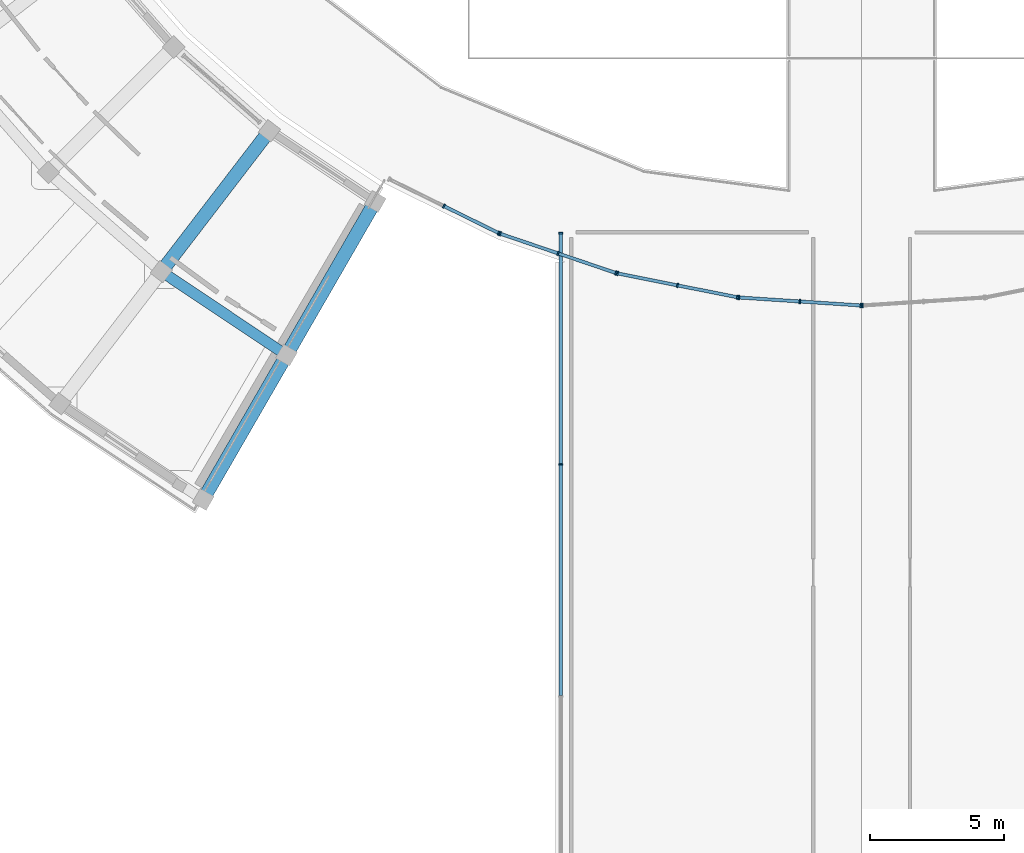
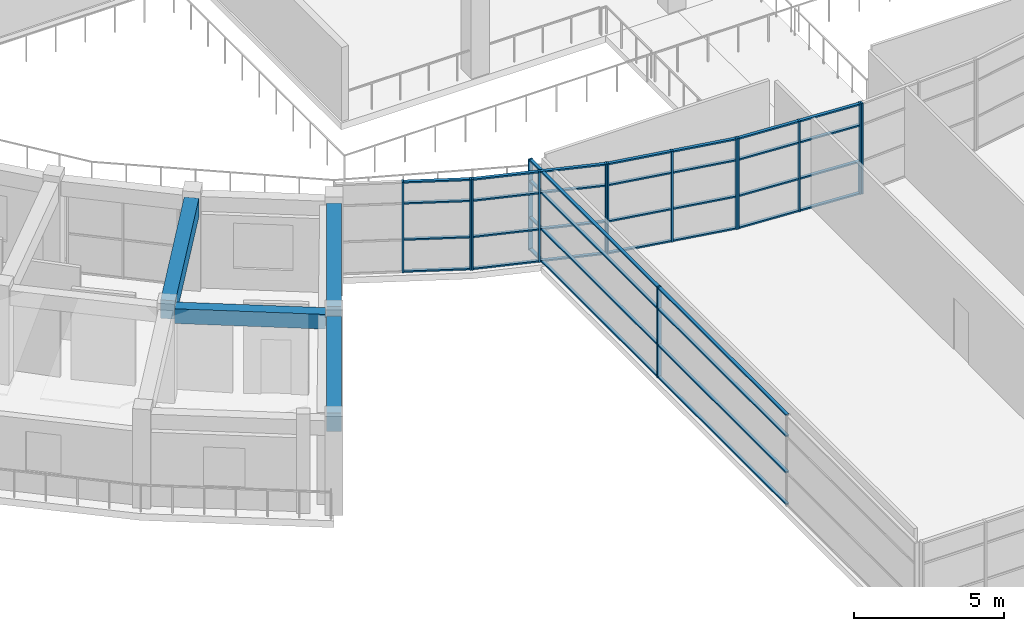
# One storey, part 14 of 83: 50 members, 4 beams, 6 elements without a shape of their own.
"""IFC4 building model written with IfcOpenShell, lengths in metres."""

from ifc_helpers import new_model, si_unit, direction, frame, origin, origin_2d, place, context, subcontext, project, spatial, rectangle, extrude, material, material_profile, profile_set, type_object, element, aggregate, save


model = new_model("IFC4")

# Units and contexts
model_context = context("Model", 3, precision=1e-05, world=origin(), true_north=direction((0.0, 1.0)))
body_context = subcontext(model_context, "Body", "Model", "MODEL_VIEW")
ifc_project = project(units=[si_unit("LENGTHUNIT", "METRE"), si_unit("AREAUNIT", "SQUARE_METRE"), si_unit("VOLUMEUNIT", "CUBIC_METRE"), si_unit("PLANEANGLEUNIT", "RADIAN"), si_unit("MASSUNIT", "GRAM", prefix="KILO")], contexts=[model_context])

# Site, building, storey
site_placement = place(None, origin())
site = spatial("IfcSite", under=ifc_project, at=site_placement, CompositionType="ELEMENT")
building_placement = place(site_placement, origin())
building = spatial("IfcBuilding", under=site, at=building_placement, Name="Saryqyr Civic Hall", CompositionType="ELEMENT")
storey_placement = place(building_placement, frame((0.0, 0.0, 9.14990234375)))
storey = spatial("IfcBuildingStorey", under=building, at=storey_placement, Name="L02", CompositionType="ELEMENT", Elevation=9.14990234375)

# Curtain wall, members
ifc_material_1 = material(Name="Anodised aluminium and triple low-E glass", Category="aluminium")
curtain_wall_type_1 = type_object("IfcCurtainWallType", Name="ENV-CW-STD-70", PredefinedType="NOTDEFINED", material=ifc_material_1)
curtain_wall_1_placement = place(storey_placement, origin())
curtain_wall_1 = element("IfcCurtainWall", 1, at=curtain_wall_1_placement, inside=storey, type_object=curtain_wall_type_1, Name="Curtain wall V2-VESTFLK-SW-L02", PredefinedType="NOTDEFINED")
ifc_material_2 = material(Name="Anodised aluminium", Category="aluminium")
ifc_material_profile_1 = material_profile(ifc_material_2, rectangle(XDim=0.06005859375, YDim=0.159912109375, at=origin_2d()), Name="ALU MULLION 60x160")
ifc_profile_set_1 = profile_set([ifc_material_profile_1], Name="Anodised aluminium")
member_type_1 = type_object("IfcMemberType", Name="ENV-CW-MUL-180", PredefinedType="MULLION", material=ifc_profile_set_1)
member_1_placement = place(storey_placement, frame((45.800048828125, 42.8701171875, 0.0), z_axis=(0.0, 0.0, 1.0), x_axis=(0.0, 1.0, 0.0)))
member_1 = element("IfcMember", 2, at=member_1_placement, type_object=member_type_1, Name="CW-70 mullion 3", PredefinedType="MULLION", context=body_context, shape_type="SweptSolid", body=[
    extrude(rectangle(XDim=0.06005859375, YDim=0.159912109375, at=origin_2d()), origin(), (0.0, 0.0, 1.0), 3.7001953125),
])
member_2_placement = place(storey_placement, frame((45.800048828125, 51.469970703125, 0.0), z_axis=(0.0, 0.0, 1.0), x_axis=(0.0, 1.0, 0.0)))
member_2 = element("IfcMember", 3, at=member_2_placement, type_object=member_type_1, Name="CW-70 mullion 4", PredefinedType="MULLION", context=body_context, shape_type="SweptSolid", body=[
    extrude(rectangle(XDim=0.06005859375, YDim=0.159912109375, at=origin_2d()), origin(), (0.0, 0.0, 1.0), 3.7001953125),
])

curtain_wall_type_2 = type_object("IfcCurtainWallType", Name="ENV-CW-STD-74", PredefinedType="NOTDEFINED", material=ifc_material_1)
curtain_wall_2_placement = place(storey_placement, origin())
curtain_wall_2 = element("IfcCurtainWall", 4, at=curtain_wall_2_placement, inside=storey, type_object=curtain_wall_type_2, Name="Curtain wall V2-PERIM-CW-L02-32", PredefinedType="NOTDEFINED")
member_3_placement = place(storey_placement, frame((43.494873046875, 51.474365234375, 0.0), z_axis=(0.0, 0.0, 1.0), x_axis=(-0.896875116746, 0.44228387373, 0.0)))
member_3 = element("IfcMember", 5, at=member_3_placement, type_object=member_type_1, Name="CW-74 mullion 1", PredefinedType="MULLION", context=body_context, shape_type="SweptSolid", body=[
    extrude(rectangle(XDim=0.06005859375, YDim=0.159912109375, at=origin_2d()), origin(), (0.0, 0.0, 1.0), 3.7001953125),
])
member_4_placement = place(storey_placement, frame((41.4560546875, 52.479736328125, 0.0), z_axis=(0.0, 0.0, 1.0), x_axis=(-0.896875116746, 0.44228387373, 0.0)))
member_4 = element("IfcMember", 6, at=member_4_placement, type_object=member_type_1, Name="CW-74 mullion 2", PredefinedType="MULLION", context=body_context, shape_type="SweptSolid", body=[
    extrude(rectangle(XDim=0.06005859375, YDim=0.159912109375, at=origin_2d()), origin(), (0.0, 0.0, 1.0), 3.7001953125),
])

curtain_wall_3_placement = place(storey_placement, origin())
curtain_wall_3 = element("IfcCurtainWall", 7, at=curtain_wall_3_placement, inside=storey, type_object=curtain_wall_type_2, Name="Curtain wall V2-PERIM-CW-L02-33", PredefinedType="NOTDEFINED")
member_5_placement = place(storey_placement, frame((47.85595703125, 49.98974609375, 0.0), z_axis=(0.0, 0.0, 1.0), x_axis=(-0.946928094828, 0.321445459178, 0.0)))
member_5 = element("IfcMember", 8, at=member_5_placement, type_object=member_type_1, Name="CW-74 mullion 1", PredefinedType="MULLION", context=body_context, shape_type="SweptSolid", body=[
    extrude(rectangle(XDim=0.06005859375, YDim=0.159912109375, at=origin_2d()), origin(), (0.0, 0.0, 1.0), 3.7001953125),
])
member_6_placement = place(storey_placement, frame((45.703125, 50.720458984375, 0.0), z_axis=(0.0, 0.0, 1.0), x_axis=(-0.946928094828, 0.321445459178, 0.0)))
member_6 = element("IfcMember", 9, at=member_6_placement, type_object=member_type_1, Name="CW-74 mullion 2", PredefinedType="MULLION", context=body_context, shape_type="SweptSolid", body=[
    extrude(rectangle(XDim=0.06005859375, YDim=0.159912109375, at=origin_2d()), origin(), (0.0, 0.0, 1.0), 3.7001953125),
])
member_7_placement = place(storey_placement, frame((43.55029296875, 51.451416015625, 0.0), z_axis=(0.0, 0.0, 1.0), x_axis=(-0.946928094828, 0.321445459178, 0.0)))
member_7 = element("IfcMember", 10, at=member_7_placement, type_object=member_type_1, Name="CW-74 mullion 3", PredefinedType="MULLION", context=body_context, shape_type="SweptSolid", body=[
    extrude(rectangle(XDim=0.06005859375, YDim=0.159912109375, at=origin_2d()), origin(), (0.0, 0.0, 1.0), 3.7001953125),
])

curtain_wall_4_placement = place(storey_placement, origin())
curtain_wall_4 = element("IfcCurtainWall", 11, at=curtain_wall_4_placement, inside=storey, type_object=curtain_wall_type_2, Name="Curtain wall V2-PERIM-CW-L02-34", PredefinedType="NOTDEFINED")
member_8_placement = place(storey_placement, frame((52.37353515625, 49.087158203125, 0.0), z_axis=(0.0, 0.0, 1.0), x_axis=(-0.980784679507, 0.195093342902, 0.0)))
member_8 = element("IfcMember", 12, at=member_8_placement, type_object=member_type_1, Name="CW-74 mullion 1", PredefinedType="MULLION", context=body_context, shape_type="SweptSolid", body=[
    extrude(rectangle(XDim=0.06005859375, YDim=0.159912109375, at=origin_2d()), origin(), (0.0, 0.0, 1.0), 3.7001953125),
])
member_9_placement = place(storey_placement, frame((50.1435546875, 49.53076171875, 0.0), z_axis=(0.0, 0.0, 1.0), x_axis=(-0.980784679507, 0.195093342902, 0.0)))
member_9 = element("IfcMember", 13, at=member_9_placement, type_object=member_type_1, Name="CW-74 mullion 2", PredefinedType="MULLION", context=body_context, shape_type="SweptSolid", body=[
    extrude(rectangle(XDim=0.06005859375, YDim=0.159912109375, at=origin_2d()), origin(), (0.0, 0.0, 1.0), 3.7001953125),
])
member_10_placement = place(storey_placement, frame((47.913818359375, 49.974365234375, 0.0), z_axis=(0.0, 0.0, 1.0), x_axis=(-0.980784679507, 0.195093342902, 0.0)))
member_10 = element("IfcMember", 14, at=member_10_placement, type_object=member_type_1, Name="CW-74 mullion 3", PredefinedType="MULLION", context=body_context, shape_type="SweptSolid", body=[
    extrude(rectangle(XDim=0.06005859375, YDim=0.159912109375, at=origin_2d()), origin(), (0.0, 0.0, 1.0), 3.7001953125),
])

curtain_wall_5_placement = place(storey_placement, origin())
curtain_wall_5 = element("IfcCurtainWall", 15, at=curtain_wall_5_placement, inside=storey, type_object=curtain_wall_type_2, Name="Curtain wall V2-PERIM-CW-L02-35", PredefinedType="NOTDEFINED")
member_11_placement = place(storey_placement, frame((56.969970703125, 48.781982421875, 0.0), z_axis=(0.0, 0.0, 1.0), x_axis=(-0.997859062814, 0.065400999681, 0.0)))
member_11 = element("IfcMember", 16, at=member_11_placement, type_object=member_type_1, Name="CW-74 mullion 1", PredefinedType="MULLION", context=body_context, shape_type="SweptSolid", body=[
    extrude(rectangle(XDim=0.06005859375, YDim=0.159912109375, at=origin_2d()), origin(), (0.0, 0.0, 1.0), 3.7001953125),
])
member_12_placement = place(storey_placement, frame((54.701416015625, 48.9306640625, 0.0), z_axis=(0.0, 0.0, 1.0), x_axis=(-0.997859062814, 0.065400999681, 0.0)))
member_12 = element("IfcMember", 17, at=member_12_placement, type_object=member_type_1, Name="CW-74 mullion 2", PredefinedType="MULLION", context=body_context, shape_type="SweptSolid", body=[
    extrude(rectangle(XDim=0.06005859375, YDim=0.159912109375, at=origin_2d()), origin(), (0.0, 0.0, 1.0), 3.7001953125),
])
member_13_placement = place(storey_placement, frame((52.432861328125, 49.079345703125, 0.0), z_axis=(0.0, 0.0, 1.0), x_axis=(-0.997859062814, 0.065400999681, 0.0)))
member_13 = element("IfcMember", 18, at=member_13_placement, type_object=member_type_1, Name="CW-74 mullion 3", PredefinedType="MULLION", context=body_context, shape_type="SweptSolid", body=[
    extrude(rectangle(XDim=0.06005859375, YDim=0.159912109375, at=origin_2d()), origin(), (0.0, 0.0, 1.0), 3.7001953125),
])

# Curtain wall, member
curtain_wall_6_placement = place(storey_placement, origin())
curtain_wall_6 = element("IfcCurtainWall", 19, at=curtain_wall_6_placement, inside=storey, type_object=curtain_wall_type_2, Name="Curtain wall V2-PERIM-CW-L02-36", PredefinedType="NOTDEFINED")
member_14_placement = place(storey_placement, frame((57.030029296875, 48.781982421875, 0.0), z_axis=(0.0, 0.0, 1.0), x_axis=(-0.997859062814, -0.065400999681, 0.0)))
member_14 = element("IfcMember", 20, at=member_14_placement, type_object=member_type_1, Name="CW-74 mullion 3", PredefinedType="MULLION", context=body_context, shape_type="SweptSolid", body=[
    extrude(rectangle(XDim=0.06005859375, YDim=0.159912109375, at=origin_2d()), origin(), (0.0, 0.0, 1.0), 3.7001953125),
])
aggregate(curtain_wall_6, [member_14])

# Member
ifc_material_profile_2 = material_profile(ifc_material_2, rectangle(XDim=0.1201171875, YDim=0.06005859375, at=origin_2d()), Name="ALU TRANSOM 120x60")
ifc_profile_set_2 = profile_set([ifc_material_profile_2], Name="Anodised aluminium")
member_type_2 = type_object("IfcMemberType", Name="ENV-CW-TRN-150", PredefinedType="USERDEFINED", material=ifc_profile_set_2)
member_15_placement = place(storey_placement, frame((45.800048828125, 34.27001953125, 0.030029296875), z_axis=(0.0, 1.0, 0.0), x_axis=(-1.0, 0.0, 0.0)))
member_15 = element("IfcMember", 21, at=member_15_placement, type_object=member_type_2, Name="CW-70 transom 2.1", ObjectType="TRANSOM", PredefinedType="USERDEFINED", context=body_context, shape_type="SweptSolid", body=[
    extrude(rectangle(XDim=0.1201171875, YDim=0.06005859375, at=origin_2d()), origin(), (0.0, 0.0, 1.0), 8.570068359375),
])

member_16_placement = place(storey_placement, frame((45.800048828125, 34.27001953125, 1.33203125), z_axis=(0.0, 1.0, 0.0), x_axis=(-1.0, 0.0, 0.0)))
member_16 = element("IfcMember", 22, at=member_16_placement, type_object=member_type_2, Name="CW-70 transom 2.2", ObjectType="TRANSOM", PredefinedType="USERDEFINED", context=body_context, shape_type="SweptSolid", body=[
    extrude(rectangle(XDim=0.1201171875, YDim=0.06005859375, at=origin_2d()), origin(), (0.0, 0.0, 1.0), 8.570068359375),
])

member_17_placement = place(storey_placement, frame((45.800048828125, 34.27001953125, 2.81201171875), z_axis=(0.0, 1.0, 0.0), x_axis=(-1.0, 0.0, 0.0)))
member_17 = element("IfcMember", 23, at=member_17_placement, type_object=member_type_2, Name="CW-70 transom 2.3", ObjectType="TRANSOM", PredefinedType="USERDEFINED", context=body_context, shape_type="SweptSolid", body=[
    extrude(rectangle(XDim=0.1201171875, YDim=0.06005859375, at=origin_2d()), origin(), (0.0, 0.0, 1.0), 8.570068359375),
])

member_18_placement = place(storey_placement, frame((45.800048828125, 34.27001953125, 3.670166015625), z_axis=(0.0, 1.0, 0.0), x_axis=(-1.0, 0.0, 0.0)))
member_18 = element("IfcMember", 24, at=member_18_placement, type_object=member_type_2, Name="CW-70 transom 2.4", ObjectType="TRANSOM", PredefinedType="USERDEFINED", context=body_context, shape_type="SweptSolid", body=[
    extrude(rectangle(XDim=0.1201171875, YDim=0.06005859375, at=origin_2d()), origin(), (0.0, 0.0, 1.0), 8.570068359375),
])

member_19_placement = place(storey_placement, frame((45.800048828125, 42.89990234375, 0.030029296875), z_axis=(0.0, 1.0, 0.0), x_axis=(-1.0, 0.0, 0.0)))
member_19 = element("IfcMember", 25, at=member_19_placement, type_object=member_type_2, Name="CW-70 transom 3.1", ObjectType="TRANSOM", PredefinedType="USERDEFINED", context=body_context, shape_type="SweptSolid", body=[
    extrude(rectangle(XDim=0.1201171875, YDim=0.06005859375, at=origin_2d()), origin(), (0.0, 0.0, 1.0), 8.5400390625),
])

member_20_placement = place(storey_placement, frame((45.800048828125, 42.89990234375, 1.33203125), z_axis=(0.0, 1.0, 0.0), x_axis=(-1.0, 0.0, 0.0)))
member_20 = element("IfcMember", 26, at=member_20_placement, type_object=member_type_2, Name="CW-70 transom 3.2", ObjectType="TRANSOM", PredefinedType="USERDEFINED", context=body_context, shape_type="SweptSolid", body=[
    extrude(rectangle(XDim=0.1201171875, YDim=0.06005859375, at=origin_2d()), origin(), (0.0, 0.0, 1.0), 8.5400390625),
])

member_21_placement = place(storey_placement, frame((45.800048828125, 42.89990234375, 2.81201171875), z_axis=(0.0, 1.0, 0.0), x_axis=(-1.0, 0.0, 0.0)))
member_21 = element("IfcMember", 27, at=member_21_placement, type_object=member_type_2, Name="CW-70 transom 3.3", ObjectType="TRANSOM", PredefinedType="USERDEFINED", context=body_context, shape_type="SweptSolid", body=[
    extrude(rectangle(XDim=0.1201171875, YDim=0.06005859375, at=origin_2d()), origin(), (0.0, 0.0, 1.0), 8.5400390625),
])

member_22_placement = place(storey_placement, frame((45.800048828125, 42.89990234375, 3.670166015625), z_axis=(0.0, 1.0, 0.0), x_axis=(-1.0, 0.0, 0.0)))
member_22 = element("IfcMember", 28, at=member_22_placement, type_object=member_type_2, Name="CW-70 transom 3.4", ObjectType="TRANSOM", PredefinedType="USERDEFINED", context=body_context, shape_type="SweptSolid", body=[
    extrude(rectangle(XDim=0.1201171875, YDim=0.06005859375, at=origin_2d()), origin(), (0.0, 0.0, 1.0), 8.5400390625),
])

aggregate(curtain_wall_1, [member_1, member_2, member_15, member_16, member_17, member_18, member_19, member_20, member_21, member_22])

member_23_placement = place(storey_placement, frame((43.468017578125, 51.487548828125, 0.030029296875), z_axis=(-0.896862479168, 0.442309499627, 0.0), x_axis=(-0.442309499627, -0.896862479168, 0.0)))
member_23 = element("IfcMember", 29, at=member_23_placement, type_object=member_type_2, Name="CW-74 transom 1.1", ObjectType="TRANSOM", PredefinedType="USERDEFINED", context=body_context, shape_type="SweptSolid", body=[
    extrude(rectangle(XDim=0.1201171875, YDim=0.06005859375, at=origin_2d()), origin(), (0.0, 0.0, 1.0), 2.21337890625),
])

member_24_placement = place(storey_placement, frame((43.468017578125, 51.487548828125, 1.33203125), z_axis=(-0.896862479168, 0.442309499627, 0.0), x_axis=(-0.442309499627, -0.896862479168, 0.0)))
member_24 = element("IfcMember", 30, at=member_24_placement, type_object=member_type_2, Name="CW-74 transom 1.2", ObjectType="TRANSOM", PredefinedType="USERDEFINED", context=body_context, shape_type="SweptSolid", body=[
    extrude(rectangle(XDim=0.1201171875, YDim=0.06005859375, at=origin_2d()), origin(), (0.0, 0.0, 1.0), 2.21337890625),
])

member_25_placement = place(storey_placement, frame((43.468017578125, 51.487548828125, 2.81201171875), z_axis=(-0.896862479168, 0.442309499627, 0.0), x_axis=(-0.442309499627, -0.896862479168, 0.0)))
member_25 = element("IfcMember", 31, at=member_25_placement, type_object=member_type_2, Name="CW-74 transom 1.3", ObjectType="TRANSOM", PredefinedType="USERDEFINED", context=body_context, shape_type="SweptSolid", body=[
    extrude(rectangle(XDim=0.1201171875, YDim=0.06005859375, at=origin_2d()), origin(), (0.0, 0.0, 1.0), 2.21337890625),
])

member_26_placement = place(storey_placement, frame((43.468017578125, 51.487548828125, 3.670166015625), z_axis=(-0.896862479168, 0.442309499627, 0.0), x_axis=(-0.442309499627, -0.896862479168, 0.0)))
member_26 = element("IfcMember", 32, at=member_26_placement, type_object=member_type_2, Name="CW-74 transom 1.4", ObjectType="TRANSOM", PredefinedType="USERDEFINED", context=body_context, shape_type="SweptSolid", body=[
    extrude(rectangle(XDim=0.1201171875, YDim=0.06005859375, at=origin_2d()), origin(), (0.0, 0.0, 1.0), 2.21337890625),
])

aggregate(curtain_wall_2, [member_3, member_4, member_23, member_24, member_25, member_26])

member_27_placement = place(storey_placement, frame((47.82763671875, 49.999267578125, 0.030029296875), z_axis=(-0.946915165682, 0.321483543904, 0.0), x_axis=(-0.321483543904, -0.946915165682, 0.0)))
member_27 = element("IfcMember", 33, at=member_27_placement, type_object=member_type_2, Name="CW-74 transom 1.1", ObjectType="TRANSOM", PredefinedType="USERDEFINED", context=body_context, shape_type="SweptSolid", body=[
    extrude(rectangle(XDim=0.1201171875, YDim=0.06005859375, at=origin_2d()), origin(), (0.0, 0.0, 1.0), 2.213623046875),
])

member_28_placement = place(storey_placement, frame((47.82763671875, 49.999267578125, 1.33203125), z_axis=(-0.946915165682, 0.321483543904, 0.0), x_axis=(-0.321483543904, -0.946915165682, 0.0)))
member_28 = element("IfcMember", 34, at=member_28_placement, type_object=member_type_2, Name="CW-74 transom 1.2", ObjectType="TRANSOM", PredefinedType="USERDEFINED", context=body_context, shape_type="SweptSolid", body=[
    extrude(rectangle(XDim=0.1201171875, YDim=0.06005859375, at=origin_2d()), origin(), (0.0, 0.0, 1.0), 2.213623046875),
])

member_29_placement = place(storey_placement, frame((47.82763671875, 49.999267578125, 2.81201171875), z_axis=(-0.946915165682, 0.321483543904, 0.0), x_axis=(-0.321483543904, -0.946915165682, 0.0)))
member_29 = element("IfcMember", 35, at=member_29_placement, type_object=member_type_2, Name="CW-74 transom 1.3", ObjectType="TRANSOM", PredefinedType="USERDEFINED", context=body_context, shape_type="SweptSolid", body=[
    extrude(rectangle(XDim=0.1201171875, YDim=0.06005859375, at=origin_2d()), origin(), (0.0, 0.0, 1.0), 2.213623046875),
])

member_30_placement = place(storey_placement, frame((47.82763671875, 49.999267578125, 3.670166015625), z_axis=(-0.946915165682, 0.321483543904, 0.0), x_axis=(-0.321483543904, -0.946915165682, 0.0)))
member_30 = element("IfcMember", 36, at=member_30_placement, type_object=member_type_2, Name="CW-74 transom 1.4", ObjectType="TRANSOM", PredefinedType="USERDEFINED", context=body_context, shape_type="SweptSolid", body=[
    extrude(rectangle(XDim=0.1201171875, YDim=0.06005859375, at=origin_2d()), origin(), (0.0, 0.0, 1.0), 2.213623046875),
])

member_31_placement = place(storey_placement, frame((45.6748046875, 50.730224609375, 0.030029296875), z_axis=(-0.946948734697, 0.321384650933, 0.0), x_axis=(-0.321384650933, -0.946948734697, 0.0)))
member_31 = element("IfcMember", 37, at=member_31_placement, type_object=member_type_2, Name="CW-74 transom 2.1", ObjectType="TRANSOM", PredefinedType="USERDEFINED", context=body_context, shape_type="SweptSolid", body=[
    extrude(rectangle(XDim=0.1201171875, YDim=0.06005859375, at=origin_2d()), origin(), (0.0, 0.0, 1.0), 2.213623046875),
])

member_32_placement = place(storey_placement, frame((45.6748046875, 50.730224609375, 1.33203125), z_axis=(-0.946948734697, 0.321384650933, 0.0), x_axis=(-0.321384650933, -0.946948734697, 0.0)))
member_32 = element("IfcMember", 38, at=member_32_placement, type_object=member_type_2, Name="CW-74 transom 2.2", ObjectType="TRANSOM", PredefinedType="USERDEFINED", context=body_context, shape_type="SweptSolid", body=[
    extrude(rectangle(XDim=0.1201171875, YDim=0.06005859375, at=origin_2d()), origin(), (0.0, 0.0, 1.0), 2.213623046875),
])

member_33_placement = place(storey_placement, frame((45.6748046875, 50.730224609375, 2.81201171875), z_axis=(-0.946948734697, 0.321384650933, 0.0), x_axis=(-0.321384650933, -0.946948734697, 0.0)))
member_33 = element("IfcMember", 39, at=member_33_placement, type_object=member_type_2, Name="CW-74 transom 2.3", ObjectType="TRANSOM", PredefinedType="USERDEFINED", context=body_context, shape_type="SweptSolid", body=[
    extrude(rectangle(XDim=0.1201171875, YDim=0.06005859375, at=origin_2d()), origin(), (0.0, 0.0, 1.0), 2.213623046875),
])

member_34_placement = place(storey_placement, frame((45.6748046875, 50.730224609375, 3.670166015625), z_axis=(-0.946948734697, 0.321384650933, 0.0), x_axis=(-0.321384650933, -0.946948734697, 0.0)))
member_34 = element("IfcMember", 40, at=member_34_placement, type_object=member_type_2, Name="CW-74 transom 2.4", ObjectType="TRANSOM", PredefinedType="USERDEFINED", context=body_context, shape_type="SweptSolid", body=[
    extrude(rectangle(XDim=0.1201171875, YDim=0.06005859375, at=origin_2d()), origin(), (0.0, 0.0, 1.0), 2.213623046875),
])

aggregate(curtain_wall_3, [member_5, member_6, member_7, member_27, member_28, member_29, member_30, member_31, member_32, member_33, member_34])

member_35_placement = place(storey_placement, frame((52.343994140625, 49.093017578125, 0.030029296875), z_axis=(-0.980779555737, 0.195119099651, 0.0), x_axis=(-0.195119099651, -0.980779555737, 0.0)))
member_35 = element("IfcMember", 41, at=member_35_placement, type_object=member_type_2, Name="CW-74 transom 1.1", ObjectType="TRANSOM", PredefinedType="USERDEFINED", context=body_context, shape_type="SweptSolid", body=[
    extrude(rectangle(XDim=0.1201171875, YDim=0.06005859375, at=origin_2d()), origin(), (0.0, 0.0, 1.0), 2.21337890625),
])

member_36_placement = place(storey_placement, frame((52.343994140625, 49.093017578125, 1.33203125), z_axis=(-0.980779555737, 0.195119099651, 0.0), x_axis=(-0.195119099651, -0.980779555737, 0.0)))
member_36 = element("IfcMember", 42, at=member_36_placement, type_object=member_type_2, Name="CW-74 transom 1.2", ObjectType="TRANSOM", PredefinedType="USERDEFINED", context=body_context, shape_type="SweptSolid", body=[
    extrude(rectangle(XDim=0.1201171875, YDim=0.06005859375, at=origin_2d()), origin(), (0.0, 0.0, 1.0), 2.21337890625),
])

member_37_placement = place(storey_placement, frame((52.343994140625, 49.093017578125, 2.81201171875), z_axis=(-0.980779555737, 0.195119099651, 0.0), x_axis=(-0.195119099651, -0.980779555737, 0.0)))
member_37 = element("IfcMember", 43, at=member_37_placement, type_object=member_type_2, Name="CW-74 transom 1.3", ObjectType="TRANSOM", PredefinedType="USERDEFINED", context=body_context, shape_type="SweptSolid", body=[
    extrude(rectangle(XDim=0.1201171875, YDim=0.06005859375, at=origin_2d()), origin(), (0.0, 0.0, 1.0), 2.21337890625),
])

member_38_placement = place(storey_placement, frame((52.343994140625, 49.093017578125, 3.670166015625), z_axis=(-0.980779555737, 0.195119099651, 0.0), x_axis=(-0.195119099651, -0.980779555737, 0.0)))
member_38 = element("IfcMember", 44, at=member_38_placement, type_object=member_type_2, Name="CW-74 transom 1.4", ObjectType="TRANSOM", PredefinedType="USERDEFINED", context=body_context, shape_type="SweptSolid", body=[
    extrude(rectangle(XDim=0.1201171875, YDim=0.06005859375, at=origin_2d()), origin(), (0.0, 0.0, 1.0), 2.21337890625),
])

member_39_placement = place(storey_placement, frame((50.1142578125, 49.53662109375, 0.030029296875), z_axis=(-0.980779555737, 0.195119099651, 0.0), x_axis=(-0.195119099651, -0.980779555737, 0.0)))
member_39 = element("IfcMember", 45, at=member_39_placement, type_object=member_type_2, Name="CW-74 transom 2.1", ObjectType="TRANSOM", PredefinedType="USERDEFINED", context=body_context, shape_type="SweptSolid", body=[
    extrude(rectangle(XDim=0.1201171875, YDim=0.06005859375, at=origin_2d()), origin(), (0.0, 0.0, 1.0), 2.21337890625),
])

member_40_placement = place(storey_placement, frame((50.1142578125, 49.53662109375, 1.33203125), z_axis=(-0.980779555737, 0.195119099651, 0.0), x_axis=(-0.195119099651, -0.980779555737, 0.0)))
member_40 = element("IfcMember", 46, at=member_40_placement, type_object=member_type_2, Name="CW-74 transom 2.2", ObjectType="TRANSOM", PredefinedType="USERDEFINED", context=body_context, shape_type="SweptSolid", body=[
    extrude(rectangle(XDim=0.1201171875, YDim=0.06005859375, at=origin_2d()), origin(), (0.0, 0.0, 1.0), 2.21337890625),
])

member_41_placement = place(storey_placement, frame((50.1142578125, 49.53662109375, 2.81201171875), z_axis=(-0.980779555737, 0.195119099651, 0.0), x_axis=(-0.195119099651, -0.980779555737, 0.0)))
member_41 = element("IfcMember", 47, at=member_41_placement, type_object=member_type_2, Name="CW-74 transom 2.3", ObjectType="TRANSOM", PredefinedType="USERDEFINED", context=body_context, shape_type="SweptSolid", body=[
    extrude(rectangle(XDim=0.1201171875, YDim=0.06005859375, at=origin_2d()), origin(), (0.0, 0.0, 1.0), 2.21337890625),
])

member_42_placement = place(storey_placement, frame((50.1142578125, 49.53662109375, 3.670166015625), z_axis=(-0.980779555737, 0.195119099651, 0.0), x_axis=(-0.195119099651, -0.980779555737, 0.0)))
member_42 = element("IfcMember", 48, at=member_42_placement, type_object=member_type_2, Name="CW-74 transom 2.4", ObjectType="TRANSOM", PredefinedType="USERDEFINED", context=body_context, shape_type="SweptSolid", body=[
    extrude(rectangle(XDim=0.1201171875, YDim=0.06005859375, at=origin_2d()), origin(), (0.0, 0.0, 1.0), 2.21337890625),
])

aggregate(curtain_wall_4, [member_8, member_9, member_10, member_35, member_36, member_37, member_38, member_39, member_40, member_41, member_42])

member_43_placement = place(storey_placement, frame((56.940185546875, 48.783935546875, 0.030029296875), z_axis=(-0.997858719579, 0.0654062364, 0.0), x_axis=(-0.0654062364, -0.997858719579, 0.0)))
member_43 = element("IfcMember", 49, at=member_43_placement, type_object=member_type_2, Name="CW-74 transom 1.1", ObjectType="TRANSOM", PredefinedType="USERDEFINED", context=body_context, shape_type="SweptSolid", body=[
    extrude(rectangle(XDim=0.1201171875, YDim=0.06005859375, at=origin_2d()), origin(), (0.0, 0.0, 1.0), 2.21337890625),
])

member_44_placement = place(storey_placement, frame((56.940185546875, 48.783935546875, 1.33203125), z_axis=(-0.997858719579, 0.0654062364, 0.0), x_axis=(-0.0654062364, -0.997858719579, 0.0)))
member_44 = element("IfcMember", 50, at=member_44_placement, type_object=member_type_2, Name="CW-74 transom 1.2", ObjectType="TRANSOM", PredefinedType="USERDEFINED", context=body_context, shape_type="SweptSolid", body=[
    extrude(rectangle(XDim=0.1201171875, YDim=0.06005859375, at=origin_2d()), origin(), (0.0, 0.0, 1.0), 2.21337890625),
])

member_45_placement = place(storey_placement, frame((56.940185546875, 48.783935546875, 2.81201171875), z_axis=(-0.997858719579, 0.0654062364, 0.0), x_axis=(-0.0654062364, -0.997858719579, 0.0)))
member_45 = element("IfcMember", 51, at=member_45_placement, type_object=member_type_2, Name="CW-74 transom 1.3", ObjectType="TRANSOM", PredefinedType="USERDEFINED", context=body_context, shape_type="SweptSolid", body=[
    extrude(rectangle(XDim=0.1201171875, YDim=0.06005859375, at=origin_2d()), origin(), (0.0, 0.0, 1.0), 2.21337890625),
])

member_46_placement = place(storey_placement, frame((56.940185546875, 48.783935546875, 3.670166015625), z_axis=(-0.997858719579, 0.0654062364, 0.0), x_axis=(-0.0654062364, -0.997858719579, 0.0)))
member_46 = element("IfcMember", 52, at=member_46_placement, type_object=member_type_2, Name="CW-74 transom 1.4", ObjectType="TRANSOM", PredefinedType="USERDEFINED", context=body_context, shape_type="SweptSolid", body=[
    extrude(rectangle(XDim=0.1201171875, YDim=0.06005859375, at=origin_2d()), origin(), (0.0, 0.0, 1.0), 2.21337890625),
])

member_47_placement = place(storey_placement, frame((54.671630859375, 48.9326171875, 0.030029296875), z_axis=(-0.997858719579, 0.0654062364, 0.0), x_axis=(-0.0654062364, -0.997858719579, 0.0)))
member_47 = element("IfcMember", 53, at=member_47_placement, type_object=member_type_2, Name="CW-74 transom 2.1", ObjectType="TRANSOM", PredefinedType="USERDEFINED", context=body_context, shape_type="SweptSolid", body=[
    extrude(rectangle(XDim=0.1201171875, YDim=0.06005859375, at=origin_2d()), origin(), (0.0, 0.0, 1.0), 2.21337890625),
])

member_48_placement = place(storey_placement, frame((54.671630859375, 48.9326171875, 1.33203125), z_axis=(-0.997858719579, 0.0654062364, 0.0), x_axis=(-0.0654062364, -0.997858719579, 0.0)))
member_48 = element("IfcMember", 54, at=member_48_placement, type_object=member_type_2, Name="CW-74 transom 2.2", ObjectType="TRANSOM", PredefinedType="USERDEFINED", context=body_context, shape_type="SweptSolid", body=[
    extrude(rectangle(XDim=0.1201171875, YDim=0.06005859375, at=origin_2d()), origin(), (0.0, 0.0, 1.0), 2.21337890625),
])

member_49_placement = place(storey_placement, frame((54.671630859375, 48.9326171875, 2.81201171875), z_axis=(-0.997858719579, 0.0654062364, 0.0), x_axis=(-0.0654062364, -0.997858719579, 0.0)))
member_49 = element("IfcMember", 55, at=member_49_placement, type_object=member_type_2, Name="CW-74 transom 2.3", ObjectType="TRANSOM", PredefinedType="USERDEFINED", context=body_context, shape_type="SweptSolid", body=[
    extrude(rectangle(XDim=0.1201171875, YDim=0.06005859375, at=origin_2d()), origin(), (0.0, 0.0, 1.0), 2.21337890625),
])

member_50_placement = place(storey_placement, frame((54.671630859375, 48.9326171875, 3.670166015625), z_axis=(-0.997858719579, 0.0654062364, 0.0), x_axis=(-0.0654062364, -0.997858719579, 0.0)))
member_50 = element("IfcMember", 56, at=member_50_placement, type_object=member_type_2, Name="CW-74 transom 2.4", ObjectType="TRANSOM", PredefinedType="USERDEFINED", context=body_context, shape_type="SweptSolid", body=[
    extrude(rectangle(XDim=0.1201171875, YDim=0.06005859375, at=origin_2d()), origin(), (0.0, 0.0, 1.0), 2.21337890625),
])

aggregate(curtain_wall_5, [member_11, member_12, member_13, member_43, member_44, member_45, member_46, member_47, member_48, member_49, member_50])

# Beams
ifc_material_3 = material(Name="Concrete C35/45", Category="concrete")
ifc_material_profile_3 = material_profile(ifc_material_3, rectangle(XDim=0.39990234375, YDim=0.60009765625, at=origin_2d()), Name="RC 400x600")
ifc_profile_set_3 = profile_set([ifc_material_profile_3], Name="Concrete C35/45")
beam_type_1 = type_object("IfcBeamType", Name="STR-BM-RC400x600", PredefinedType="BEAM", material=ifc_profile_set_3)
beam_1_placement = place(storey_placement, frame((31.173583984375, 49.8916015625, 3.489990234375), z_axis=(0.831484433902, -0.555548050289, 0.0), x_axis=(0.555548050289, 0.831484433902, 0.0)))
element("IfcBeam", 57, at=beam_1_placement, inside=storey, type_object=beam_type_1, Name="Beam V4-CBM-MID09-L02", PredefinedType="BEAM", context=body_context, shape_type="SweptSolid", body=[
    extrude(rectangle(XDim=0.39990234375, YDim=0.60009765625, at=origin_2d()), origin(), (0.0, 0.0, 1.0), 5.048583984375),
])
ifc_material_4 = material(Name="Concrete C40/50", Category="concrete")
ifc_material_profile_4 = material_profile(ifc_material_4, rectangle(XDim=0.5, YDim=0.75, at=origin_2d()), Name="RC 500x750")
ifc_profile_set_4 = profile_set([ifc_material_profile_4], Name="Concrete C40/50")
beam_type_2 = type_object("IfcBeamType", Name="STR-BM-RC500x750", PredefinedType="BEAM", material=ifc_profile_set_4)
beam_2_placement = place(storey_placement, frame((34.79541015625, 55.0625, 3.4150390625), z_axis=(-0.608770354513, -0.793346491431, 0.0), x_axis=(0.793346491431, -0.608770354513, 0.0)))
element("IfcBeam", 58, at=beam_2_placement, inside=storey, type_object=beam_type_2, Name="Beam V4-RBM-A09-L02", PredefinedType="BEAM", context=body_context, shape_type="SweptSolid", body=[
    extrude(rectangle(XDim=0.5, YDim=0.75, at=origin_2d()), origin(), (0.0, 0.0, 1.0), 6.050048828125),
])
beam_3_placement = place(storey_placement, frame((38.762451171875, 52.41162109375, 3.4150390625), z_axis=(-0.500001913541, -0.866024298998, 0.0), x_axis=(0.866024298998, -0.500001913541, 0.0)))
element("IfcBeam", 59, at=beam_3_placement, inside=storey, type_object=beam_type_2, Name="Beam V4-RBM-A10-L02", PredefinedType="BEAM", context=body_context, shape_type="SweptSolid", body=[
    extrude(rectangle(XDim=0.5, YDim=0.75, at=origin_2d()), origin(), (0.0, 0.0, 1.0), 6.0498046875),
])
beam_4_placement = place(storey_placement, frame((35.46240234375, 46.69580078125, 3.4150390625), z_axis=(-0.500010476433, -0.866019355129, 0.0), x_axis=(0.866019355129, -0.500010476433, 0.0)))
element("IfcBeam", 60, at=beam_4_placement, inside=storey, type_object=beam_type_2, Name="Beam V4-RBM-B10-L02", PredefinedType="BEAM", context=body_context, shape_type="SweptSolid", body=[
    extrude(rectangle(XDim=0.5, YDim=0.75, at=origin_2d()), origin(), (0.0, 0.0, 1.0), 5.64990234375),
])

save(model, "model.ifc")
